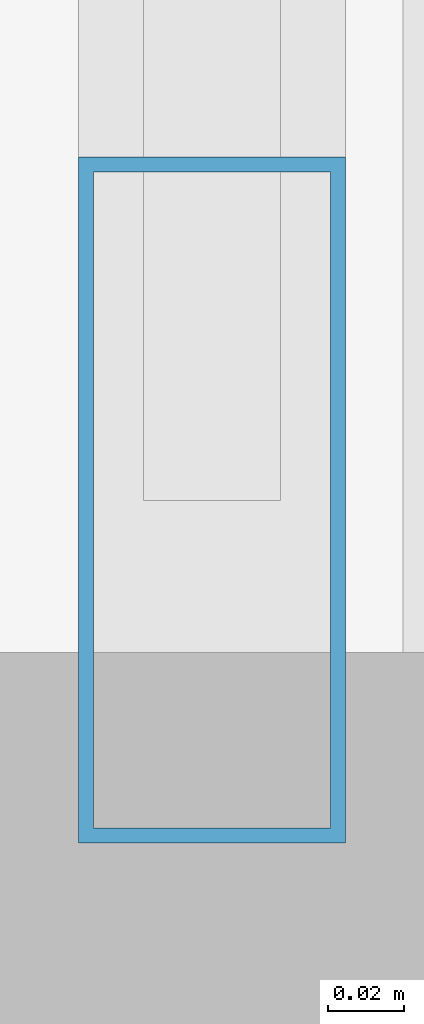
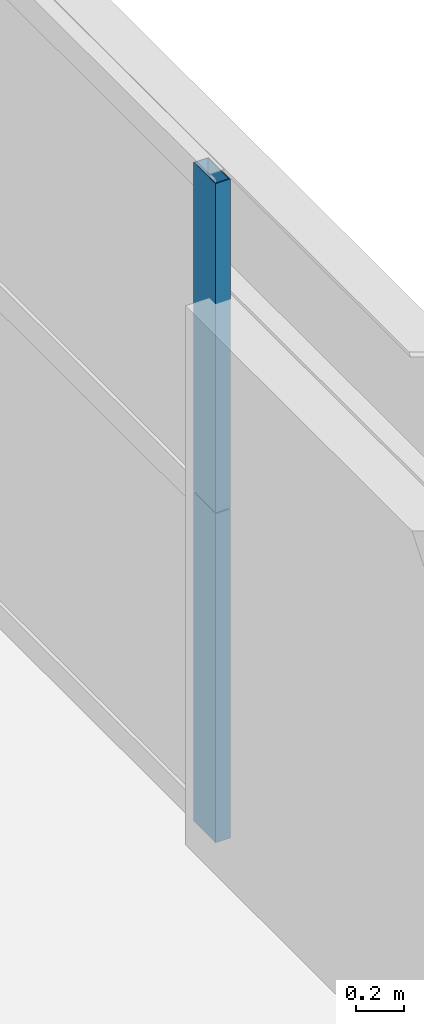
# One storey, part 17 of 43: 2 members, 1 element without a shape of its own.
"""IFC4 building model written with IfcOpenShell, lengths in metres."""

from ifc_helpers import new_model, si_unit, direction, frame, origin, origin_2d, place, context, subcontext, project, spatial, hollow_rectangle, extrude, source, transform, mapped, material, layer, layer_set, material_profile, profile_set, type_object, element, aggregate, save


model = new_model("IFC4")

# Units and contexts
model_context = context("Model", 3, precision=1e-05, world=origin(), true_north=direction((0.0, 1.0)))
body_context = subcontext(model_context, "Body", "Model", "MODEL_VIEW")
ifc_project = project(units=[si_unit("LENGTHUNIT", "METRE"), si_unit("AREAUNIT", "SQUARE_METRE"), si_unit("VOLUMEUNIT", "CUBIC_METRE"), si_unit("PLANEANGLEUNIT", "RADIAN"), si_unit("MASSUNIT", "GRAM", prefix="KILO"), si_unit("THERMODYNAMICTEMPERATUREUNIT", "KELVIN"), si_unit("POWERUNIT", "WATT")], contexts=[model_context])

# Site, building, storey
site_placement = place(None, origin())
site = spatial("IfcSite", under=ifc_project, at=site_placement, CompositionType="ELEMENT")
building_placement = place(site_placement, origin())
building = spatial("IfcBuilding", under=site, at=building_placement, Name="Yuzanri Waterfront Tower", CompositionType="ELEMENT")
storey_placement = place(building_placement, frame((0.0, 0.0, 37.800048828125)))
storey = spatial("IfcBuildingStorey", under=building, at=storey_placement, Name="L09", CompositionType="ELEMENT", Elevation=37.800048828125)

# Curtain wall, members
ifc_material_1 = material(Name="Anodized Architectural Bronze", Category="metal")
ifc_layer = layer(ifc_material_1, 0.159912109375)
ifc_layer_set = layer_set([ifc_layer], Name="Anodized Architectural Bronze")
curtain_wall_type = type_object("IfcCurtainWallType", Name="Anodized Bronze Hotel Lower-Tier Recessed Unitized Curtain Wall 8100", PredefinedType="NOTDEFINED", material=ifc_layer_set)
curtain_wall_placement = place(storey_placement, origin())
curtain_wall = element("IfcCurtainWall", 1, at=curtain_wall_placement, inside=storey, type_object=curtain_wall_type, Name="L09 Curtain Wall CW-L09-EL", PredefinedType="NOTDEFINED")
ifc_material_2 = material(Name="Anodized Architectural Bronze", Category="metal")
ifc_material_profile = material_profile(ifc_material_2, hollow_rectangle(XDim=0.070068359375, YDim=0.179931640625, WallThickness=0.00390625, at=origin_2d()), Name="CWM 70x180")
ifc_profile_set = profile_set([ifc_material_profile], Name="Anodized Architectural Bronze")
member_type = type_object("IfcMemberType", Name="Anodized Bronze Standard Curtain-Wall Mullion 70x180", PredefinedType="MULLION", material=ifc_profile_set)
shared_shape_1 = source(origin(), body_context, "Body", "SweptSolid", [
    extrude(hollow_rectangle(XDim=0.070068359375, YDim=0.179931640625, WallThickness=0.00390625, at=origin_2d()), origin(), (0.0, 0.0, 1.0), 1.657958984375),
])
member_1_placement = place(storey_placement, frame((61.949951171875, 8.090087890625, 0.0), z_axis=(0.0, 0.0, 1.0), x_axis=(1.0, 0.0, 0.0)))
member_1 = element("IfcMember", 2, at=member_1_placement, type_object=member_type, Name="CW-L09-EL Lower Mullion 00", PredefinedType="MULLION", context=body_context, shape_type="MappedRepresentation", body=[
    mapped(shared_shape_1, transform((0.0, 0.0, 0.0), scale=1.0)),
])
shared_shape_2 = source(origin(), body_context, "Body", "SweptSolid", [
    extrude(hollow_rectangle(XDim=0.070068359375, YDim=0.179931640625, WallThickness=0.00390625, at=origin_2d()), origin(), (0.0, 0.0, 1.0), 1.658203125),
])
member_2_placement = place(storey_placement, frame((61.949951171875, 8.090087890625, 1.661865234375), z_axis=(0.0, 0.0, 1.0), x_axis=(1.0, 0.0, 0.0)))
member_2 = element("IfcMember", 3, at=member_2_placement, type_object=member_type, Name="CW-L09-EL Upper Mullion 00", PredefinedType="MULLION", context=body_context, shape_type="MappedRepresentation", body=[
    mapped(shared_shape_2, transform((0.0, 0.0, 0.0), scale=1.0)),
])
aggregate(curtain_wall, [member_1, member_2])

save(model, "model.ifc")
